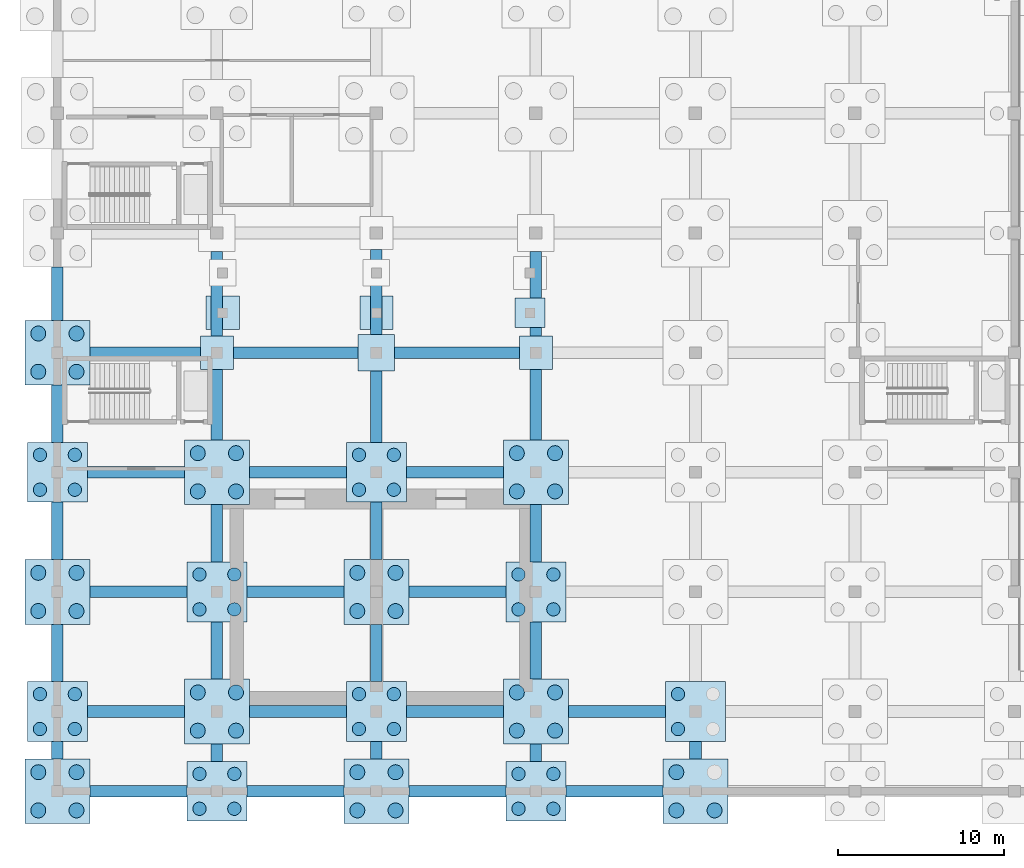
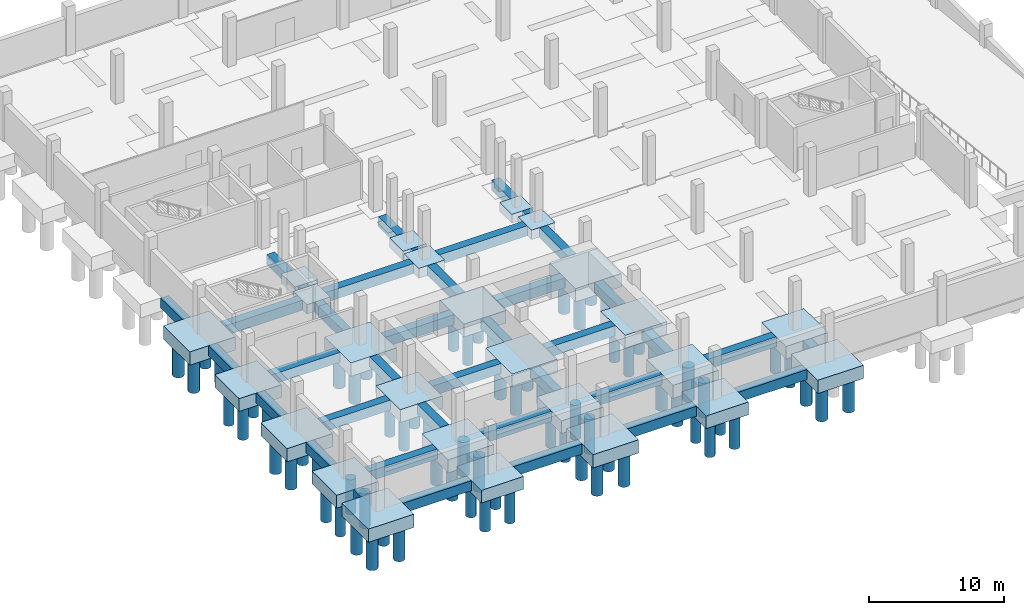
# One storey, part 1 of 13: 73 piles, 63 footings.
"""IFC4 building model written with IfcOpenShell, lengths in metres."""

from ifc_helpers import new_model, si_unit, direction, frame, origin, origin_2d, place, context, subcontext, project, spatial, rectangle, circle, extrude, material, material_profile, profile_set, type_object, element, save


model = new_model("IFC4")

# Units and contexts
model_context = context("Model", 3, precision=1e-05, world=origin(), true_north=direction((0.0, 1.0)))
body_context = subcontext(model_context, "Body", "Model", "MODEL_VIEW")
ifc_project = project(units=[si_unit("LENGTHUNIT", "METRE"), si_unit("AREAUNIT", "SQUARE_METRE"), si_unit("VOLUMEUNIT", "CUBIC_METRE"), si_unit("PLANEANGLEUNIT", "RADIAN"), si_unit("MASSUNIT", "GRAM", prefix="KILO")], contexts=[model_context])

# Site, building, storey
site_placement = place(None, origin())
site = spatial("IfcSite", under=ifc_project, at=site_placement, CompositionType="ELEMENT")
building_placement = place(site_placement, origin())
building = spatial("IfcBuilding", under=site, at=building_placement, Name="Asteropetra Specialist Clinic", CompositionType="ELEMENT")
storey_placement = place(building_placement, frame((0.0, 0.0, -4.419921875)))
storey = spatial("IfcBuildingStorey", under=building, at=storey_placement, Name="B1", CompositionType="ELEMENT", Elevation=-4.419921875)

# Footings
ifc_material_1 = material(Name="Concrete C35/45", Category="concrete")
ifc_material_profile_1 = material_profile(ifc_material_1, rectangle(XDim=0.699951171875, YDim=0.89990234375, at=origin_2d()), Name="FB 700x900")
ifc_profile_set_1 = profile_set([ifc_material_profile_1], Name="Concrete C35/45")
footing_type_1 = type_object("IfcFootingType", Name="FB-700x900", PredefinedType="FOOTING_BEAM", material=ifc_profile_set_1)
footing_1_placement = place(storey_placement, frame((1.949951171875, 0.0, -0.4501953125), z_axis=(1.0, 0.0, 0.0), x_axis=(0.0, 1.0, 0.0)))
element("IfcFooting", 1, at=footing_1_placement, inside=storey, type_object=footing_type_1, Name="Footing Tie Beam FB-0001", PredefinedType="FOOTING_BEAM", context=body_context, shape_type="SweptSolid", body=[
    extrude(rectangle(XDim=0.699951171875, YDim=0.89990234375, at=origin_2d()), origin(), (0.0, 0.0, 1.0), 5.85009765625),
])
footing_2_placement = place(storey_placement, frame((0.0, 1.949951171875, -0.4501953125), z_axis=(0.0, 1.0, 0.0), x_axis=(-1.0, 0.0, 0.0)))
element("IfcFooting", 2, at=footing_2_placement, inside=storey, type_object=footing_type_1, Name="Footing Tie Beam FB-0002", PredefinedType="FOOTING_BEAM", context=body_context, shape_type="SweptSolid", body=[
    extrude(rectangle(XDim=0.699951171875, YDim=0.89990234375, at=origin_2d()), origin(), (0.0, 0.0, 1.0), 1.050048828125),
])
footing_3_placement = place(storey_placement, frame((1.800048828125, 4.800048828125, -0.4501953125), z_axis=(1.0, 0.0, 0.0), x_axis=(0.0, 1.0, 0.0)))
element("IfcFooting", 3, at=footing_3_placement, inside=storey, type_object=footing_type_1, Name="Footing Tie Beam FB-0003", PredefinedType="FOOTING_BEAM", context=body_context, shape_type="SweptSolid", body=[
    extrude(rectangle(XDim=0.699951171875, YDim=0.89990234375, at=origin_2d()), origin(), (0.0, 0.0, 1.0), 5.849853515625),
])
footing_4_placement = place(storey_placement, frame((0.0, 6.60009765625, -0.4501953125), z_axis=(0.0, 1.0, 0.0), x_axis=(-1.0, 0.0, 0.0)))
element("IfcFooting", 4, at=footing_4_placement, inside=storey, type_object=footing_type_1, Name="Footing Tie Beam FB-0004", PredefinedType="FOOTING_BEAM", context=body_context, shape_type="SweptSolid", body=[
    extrude(rectangle(XDim=0.699951171875, YDim=0.89990234375, at=origin_2d()), origin(), (0.0, 0.0, 1.0), 3.449951171875),
])
footing_5_placement = place(storey_placement, frame((1.949951171875, 12.0, -0.4501953125), z_axis=(1.0, 0.0, 0.0), x_axis=(0.0, 1.0, 0.0)))
element("IfcFooting", 5, at=footing_5_placement, inside=storey, type_object=footing_type_1, Name="Footing Tie Beam FB-0005", PredefinedType="FOOTING_BEAM", context=body_context, shape_type="SweptSolid", body=[
    extrude(rectangle(XDim=0.699951171875, YDim=0.89990234375, at=origin_2d()), origin(), (0.0, 0.0, 1.0), 5.85009765625),
])
footing_6_placement = place(storey_placement, frame((0.0, 13.949951171875, -0.4501953125), z_axis=(0.0, 1.0, 0.0), x_axis=(-1.0, 0.0, 0.0)))
element("IfcFooting", 6, at=footing_6_placement, inside=storey, type_object=footing_type_1, Name="Footing Tie Beam FB-0006", PredefinedType="FOOTING_BEAM", context=body_context, shape_type="SweptSolid", body=[
    extrude(rectangle(XDim=0.699951171875, YDim=0.89990234375, at=origin_2d()), origin(), (0.0, 0.0, 1.0), 3.449951171875),
])
footing_7_placement = place(storey_placement, frame((1.800048828125, 19.199951171875, -0.4501953125), z_axis=(1.0, 0.0, 0.0), x_axis=(0.0, 1.0, 0.0)))
element("IfcFooting", 7, at=footing_7_placement, inside=storey, type_object=footing_type_1, Name="Footing Tie Beam FB-0007", PredefinedType="FOOTING_BEAM", context=body_context, shape_type="SweptSolid", body=[
    extrude(rectangle(XDim=0.699951171875, YDim=0.89990234375, at=origin_2d()), origin(), (0.0, 0.0, 1.0), 5.849853515625),
])
footing_8_placement = place(storey_placement, frame((0.0, 21.0, -0.4501953125), z_axis=(0.0, 1.0, 0.0), x_axis=(-1.0, 0.0, 0.0)))
element("IfcFooting", 8, at=footing_8_placement, inside=storey, type_object=footing_type_1, Name="Footing Tie Beam FB-0008", PredefinedType="FOOTING_BEAM", context=body_context, shape_type="SweptSolid", body=[
    extrude(rectangle(XDim=0.699951171875, YDim=0.89990234375, at=origin_2d()), origin(), (0.0, 0.0, 1.0), 3.449951171875),
])
footing_9_placement = place(storey_placement, frame((1.949951171875, 26.39990234375, -0.4501953125), z_axis=(1.0, 0.0, 0.0), x_axis=(0.0, 1.0, 0.0)))
element("IfcFooting", 9, at=footing_9_placement, inside=storey, type_object=footing_type_1, Name="Footing Tie Beam FB-0009", PredefinedType="FOOTING_BEAM", context=body_context, shape_type="SweptSolid", body=[
    extrude(rectangle(XDim=0.699951171875, YDim=0.89990234375, at=origin_2d()), origin(), (0.0, 0.0, 1.0), 6.650146484375),
])
footing_10_placement = place(storey_placement, frame((0.0, 28.35009765625, -0.4501953125), z_axis=(0.0, 1.0, 0.0), x_axis=(-1.0, 0.0, 0.0)))
element("IfcFooting", 10, at=footing_10_placement, inside=storey, type_object=footing_type_1, Name="Footing Tie Beam FB-0010", PredefinedType="FOOTING_BEAM", context=body_context, shape_type="SweptSolid", body=[
    extrude(rectangle(XDim=0.699951171875, YDim=0.89990234375, at=origin_2d()), origin(), (0.0, 0.0, 1.0), 3.199951171875),
])
footing_11_placement = place(storey_placement, frame((11.39990234375, 0.0, -0.4501953125), z_axis=(1.0, 0.0, 0.0), x_axis=(0.0, 1.0, 0.0)))
element("IfcFooting", 11, at=footing_11_placement, inside=storey, type_object=footing_type_1, Name="Footing Tie Beam FB-0033", PredefinedType="FOOTING_BEAM", context=body_context, shape_type="SweptSolid", body=[
    extrude(rectangle(XDim=0.699951171875, YDim=0.89990234375, at=origin_2d()), origin(), (0.0, 0.0, 1.0), 5.85009765625),
])
footing_12_placement = place(storey_placement, frame((9.60009765625, 1.800048828125, -0.4501953125), z_axis=(0.0, 1.0, 0.0), x_axis=(-1.0, 0.0, 0.0)))
element("IfcFooting", 12, at=footing_12_placement, inside=storey, type_object=footing_type_1, Name="Footing Tie Beam FB-0034", PredefinedType="FOOTING_BEAM", context=body_context, shape_type="SweptSolid", body=[
    extrude(rectangle(XDim=0.699951171875, YDim=0.89990234375, at=origin_2d()), origin(), (0.0, 0.0, 1.0), 1.050048828125),
])
footing_13_placement = place(storey_placement, frame((11.550048828125, 4.800048828125, -0.4501953125), z_axis=(1.0, 0.0, 0.0), x_axis=(0.0, 1.0, 0.0)))
element("IfcFooting", 13, at=footing_13_placement, inside=storey, type_object=footing_type_1, Name="Footing Tie Beam FB-0035", PredefinedType="FOOTING_BEAM", context=body_context, shape_type="SweptSolid", body=[
    extrude(rectangle(XDim=0.699951171875, YDim=0.89990234375, at=origin_2d()), origin(), (0.0, 0.0, 1.0), 5.849853515625),
])
footing_14_placement = place(storey_placement, frame((9.60009765625, 6.75, -0.4501953125), z_axis=(0.0, 1.0, 0.0), x_axis=(-1.0, 0.0, 0.0)))
element("IfcFooting", 14, at=footing_14_placement, inside=storey, type_object=footing_type_1, Name="Footing Tie Beam FB-0036", PredefinedType="FOOTING_BEAM", context=body_context, shape_type="SweptSolid", body=[
    extrude(rectangle(XDim=0.699951171875, YDim=0.89990234375, at=origin_2d()), origin(), (0.0, 0.0, 1.0), 3.449951171875),
])
footing_15_placement = place(storey_placement, frame((11.39990234375, 12.0, -0.4501953125), z_axis=(1.0, 0.0, 0.0), x_axis=(0.0, 1.0, 0.0)))
element("IfcFooting", 15, at=footing_15_placement, inside=storey, type_object=footing_type_1, Name="Footing Tie Beam FB-0037", PredefinedType="FOOTING_BEAM", context=body_context, shape_type="SweptSolid", body=[
    extrude(rectangle(XDim=0.699951171875, YDim=0.89990234375, at=origin_2d()), origin(), (0.0, 0.0, 1.0), 5.85009765625),
])
footing_16_placement = place(storey_placement, frame((9.60009765625, 13.800048828125, -0.4501953125), z_axis=(0.0, 1.0, 0.0), x_axis=(-1.0, 0.0, 0.0)))
element("IfcFooting", 16, at=footing_16_placement, inside=storey, type_object=footing_type_1, Name="Footing Tie Beam FB-0038", PredefinedType="FOOTING_BEAM", context=body_context, shape_type="SweptSolid", body=[
    extrude(rectangle(XDim=0.699951171875, YDim=0.89990234375, at=origin_2d()), origin(), (0.0, 0.0, 1.0), 3.449951171875),
])
footing_17_placement = place(storey_placement, frame((11.550048828125, 19.199951171875, -0.4501953125), z_axis=(1.0, 0.0, 0.0), x_axis=(0.0, 1.0, 0.0)))
element("IfcFooting", 17, at=footing_17_placement, inside=storey, type_object=footing_type_1, Name="Footing Tie Beam FB-0039", PredefinedType="FOOTING_BEAM", context=body_context, shape_type="SweptSolid", body=[
    extrude(rectangle(XDim=0.699951171875, YDim=0.89990234375, at=origin_2d()), origin(), (0.0, 0.0, 1.0), 5.849853515625),
])
footing_18_placement = place(storey_placement, frame((9.60009765625, 21.14990234375, -0.4501953125), z_axis=(0.0, 1.0, 0.0), x_axis=(-1.0, 0.0, 0.0)))
element("IfcFooting", 18, at=footing_18_placement, inside=storey, type_object=footing_type_1, Name="Footing Tie Beam FB-0040", PredefinedType="FOOTING_BEAM", context=body_context, shape_type="SweptSolid", body=[
    extrude(rectangle(XDim=0.699951171875, YDim=0.89990234375, at=origin_2d()), origin(), (0.0, 0.0, 1.0), 4.25),
])
footing_19_placement = place(storey_placement, frame((10.60009765625, 26.39990234375, -0.4501953125), z_axis=(1.0, 0.0, 0.0), x_axis=(0.0, 1.0, 0.0)))
element("IfcFooting", 19, at=footing_19_placement, inside=storey, type_object=footing_type_1, Name="Footing Tie Beam FB-0041", PredefinedType="FOOTING_BEAM", context=body_context, shape_type="SweptSolid", body=[
    extrude(rectangle(XDim=0.699951171875, YDim=0.89990234375, at=origin_2d()), origin(), (0.0, 0.0, 1.0), 7.5),
])
footing_20_placement = place(storey_placement, frame((9.60009765625, 27.39990234375, -0.4501953125), z_axis=(0.0, 1.0, 0.0), x_axis=(-1.0, 0.0, 0.0)))
element("IfcFooting", 20, at=footing_20_placement, inside=storey, type_object=footing_type_1, Name="Footing Tie Beam FB-0042", PredefinedType="FOOTING_BEAM", context=body_context, shape_type="SweptSolid", body=[
    extrude(rectangle(XDim=0.699951171875, YDim=0.89990234375, at=origin_2d()), origin(), (0.0, 0.0, 1.0), 5.10009765625),
])
footing_21_placement = place(storey_placement, frame((21.14990234375, 0.0, -0.4501953125), z_axis=(1.0, 0.0, 0.0), x_axis=(0.0, 1.0, 0.0)))
element("IfcFooting", 21, at=footing_21_placement, inside=storey, type_object=footing_type_1, Name="Footing Tie Beam FB-0063", PredefinedType="FOOTING_BEAM", context=body_context, shape_type="SweptSolid", body=[
    extrude(rectangle(XDim=0.699951171875, YDim=0.89990234375, at=origin_2d()), origin(), (0.0, 0.0, 1.0), 5.85009765625),
])
footing_22_placement = place(storey_placement, frame((19.199951171875, 1.949951171875, -0.4501953125), z_axis=(0.0, 1.0, 0.0), x_axis=(-1.0, 0.0, 0.0)))
element("IfcFooting", 22, at=footing_22_placement, inside=storey, type_object=footing_type_1, Name="Footing Tie Beam FB-0064", PredefinedType="FOOTING_BEAM", context=body_context, shape_type="SweptSolid", body=[
    extrude(rectangle(XDim=0.699951171875, YDim=0.89990234375, at=origin_2d()), origin(), (0.0, 0.0, 1.0), 1.050048828125),
])
footing_23_placement = place(storey_placement, frame((21.0, 4.800048828125, -0.4501953125), z_axis=(1.0, 0.0, 0.0), x_axis=(0.0, 1.0, 0.0)))
element("IfcFooting", 23, at=footing_23_placement, inside=storey, type_object=footing_type_1, Name="Footing Tie Beam FB-0065", PredefinedType="FOOTING_BEAM", context=body_context, shape_type="SweptSolid", body=[
    extrude(rectangle(XDim=0.699951171875, YDim=0.89990234375, at=origin_2d()), origin(), (0.0, 0.0, 1.0), 5.85009765625),
])
footing_24_placement = place(storey_placement, frame((19.199951171875, 6.60009765625, -0.4501953125), z_axis=(0.0, 1.0, 0.0), x_axis=(-1.0, 0.0, 0.0)))
element("IfcFooting", 24, at=footing_24_placement, inside=storey, type_object=footing_type_1, Name="Footing Tie Beam FB-0066", PredefinedType="FOOTING_BEAM", context=body_context, shape_type="SweptSolid", body=[
    extrude(rectangle(XDim=0.699951171875, YDim=0.89990234375, at=origin_2d()), origin(), (0.0, 0.0, 1.0), 3.449951171875),
])
footing_25_placement = place(storey_placement, frame((21.14990234375, 12.0, -0.4501953125), z_axis=(1.0, 0.0, 0.0), x_axis=(0.0, 1.0, 0.0)))
element("IfcFooting", 25, at=footing_25_placement, inside=storey, type_object=footing_type_1, Name="Footing Tie Beam FB-0067", PredefinedType="FOOTING_BEAM", context=body_context, shape_type="SweptSolid", body=[
    extrude(rectangle(XDim=0.699951171875, YDim=0.89990234375, at=origin_2d()), origin(), (0.0, 0.0, 1.0), 5.85009765625),
])
footing_26_placement = place(storey_placement, frame((19.199951171875, 13.949951171875, -0.4501953125), z_axis=(0.0, 1.0, 0.0), x_axis=(-1.0, 0.0, 0.0)))
element("IfcFooting", 26, at=footing_26_placement, inside=storey, type_object=footing_type_1, Name="Footing Tie Beam FB-0068", PredefinedType="FOOTING_BEAM", context=body_context, shape_type="SweptSolid", body=[
    extrude(rectangle(XDim=0.699951171875, YDim=0.89990234375, at=origin_2d()), origin(), (0.0, 0.0, 1.0), 3.449951171875),
])
footing_27_placement = place(storey_placement, frame((21.0, 19.199951171875, -0.4501953125), z_axis=(1.0, 0.0, 0.0), x_axis=(0.0, 1.0, 0.0)))
element("IfcFooting", 27, at=footing_27_placement, inside=storey, type_object=footing_type_1, Name="Footing Tie Beam FB-0069", PredefinedType="FOOTING_BEAM", context=body_context, shape_type="SweptSolid", body=[
    extrude(rectangle(XDim=0.699951171875, YDim=0.89990234375, at=origin_2d()), origin(), (0.0, 0.0, 1.0), 5.85009765625),
])
footing_28_placement = place(storey_placement, frame((19.199951171875, 21.0, -0.4501953125), z_axis=(0.0, 1.0, 0.0), x_axis=(-1.0, 0.0, 0.0)))
element("IfcFooting", 28, at=footing_28_placement, inside=storey, type_object=footing_type_1, Name="Footing Tie Beam FB-0070", PredefinedType="FOOTING_BEAM", context=body_context, shape_type="SweptSolid", body=[
    extrude(rectangle(XDim=0.699951171875, YDim=0.89990234375, at=origin_2d()), origin(), (0.0, 0.0, 1.0), 4.300048828125),
])
footing_29_placement = place(storey_placement, frame((20.300048828125, 26.39990234375, -0.4501953125), z_axis=(1.0, 0.0, 0.0), x_axis=(0.0, 1.0, 0.0)))
element("IfcFooting", 29, at=footing_29_placement, inside=storey, type_object=footing_type_1, Name="Footing Tie Beam FB-0071", PredefinedType="FOOTING_BEAM", context=body_context, shape_type="SweptSolid", body=[
    extrude(rectangle(XDim=0.699951171875, YDim=0.89990234375, at=origin_2d()), origin(), (0.0, 0.0, 1.0), 7.5),
])
footing_30_placement = place(storey_placement, frame((19.199951171875, 27.5, -0.4501953125), z_axis=(0.0, 1.0, 0.0), x_axis=(-1.0, 0.0, 0.0)))
element("IfcFooting", 30, at=footing_30_placement, inside=storey, type_object=footing_type_1, Name="Footing Tie Beam FB-0072", PredefinedType="FOOTING_BEAM", context=body_context, shape_type="SweptSolid", body=[
    extrude(rectangle(XDim=0.699951171875, YDim=0.89990234375, at=origin_2d()), origin(), (0.0, 0.0, 1.0), 5.10009765625),
])
footing_31_placement = place(storey_placement, frame((30.60009765625, 0.0, -0.4501953125), z_axis=(1.0, 0.0, 0.0), x_axis=(0.0, 1.0, 0.0)))
element("IfcFooting", 31, at=footing_31_placement, inside=storey, type_object=footing_type_1, Name="Footing Tie Beam FB-0090", PredefinedType="FOOTING_BEAM", context=body_context, shape_type="SweptSolid", body=[
    extrude(rectangle(XDim=0.699951171875, YDim=0.89990234375, at=origin_2d()), origin(), (0.0, 0.0, 1.0), 5.849853515625),
])
footing_32_placement = place(storey_placement, frame((28.800048828125, 1.800048828125, -0.4501953125), z_axis=(0.0, 1.0, 0.0), x_axis=(-1.0, 0.0, 0.0)))
element("IfcFooting", 32, at=footing_32_placement, inside=storey, type_object=footing_type_1, Name="Footing Tie Beam FB-0091", PredefinedType="FOOTING_BEAM", context=body_context, shape_type="SweptSolid", body=[
    extrude(rectangle(XDim=0.699951171875, YDim=0.89990234375, at=origin_2d()), origin(), (0.0, 0.0, 1.0), 1.050048828125),
])
footing_33_placement = place(storey_placement, frame((30.75, 4.800048828125, -0.4501953125), z_axis=(1.0, 0.0, 0.0), x_axis=(0.0, 1.0, 0.0)))
element("IfcFooting", 33, at=footing_33_placement, inside=storey, type_object=footing_type_1, Name="Footing Tie Beam FB-0092", PredefinedType="FOOTING_BEAM", context=body_context, shape_type="SweptSolid", body=[
    extrude(rectangle(XDim=0.699951171875, YDim=0.89990234375, at=origin_2d()), origin(), (0.0, 0.0, 1.0), 5.85009765625),
])
for number, where, z_axis, x_axis, name in (
    (34, (28.800048828125, 6.75, -0.4501953125), (0.0, 1.0, 0.0), (-1.0, 0.0, 0.0), "Footing Tie Beam FB-0093"),
    (35, (28.800048828125, 13.800048828125, -0.4501953125), (0.0, 1.0, 0.0), (-1.0, 0.0, 0.0), "Footing Tie Beam FB-0095"),
):
    element("IfcFooting", number, at=place(storey_placement, frame(where, z_axis=z_axis, x_axis=x_axis)), inside=storey, type_object=footing_type_1, Name=name, PredefinedType="FOOTING_BEAM", context=body_context, shape_type="SweptSolid", body=[
        extrude(rectangle(XDim=0.699951171875, YDim=0.89990234375, at=origin_2d()), origin(), (0.0, 0.0, 1.0), 3.449951171875),
    ])
footing_34_placement = place(storey_placement, frame((28.800048828125, 21.14990234375, -0.4501953125), z_axis=(0.0, 1.0, 0.0), x_axis=(-1.0, 0.0, 0.0)))
element("IfcFooting", 36, at=footing_34_placement, inside=storey, type_object=footing_type_1, Name="Footing Tie Beam FB-0097", PredefinedType="FOOTING_BEAM", context=body_context, shape_type="SweptSolid", body=[
    extrude(rectangle(XDim=0.699951171875, YDim=0.89990234375, at=origin_2d()), origin(), (0.0, 0.0, 1.0), 4.25),
])
footing_35_placement = place(storey_placement, frame((28.800048828125, 27.39990234375, -0.4501953125), z_axis=(0.0, 1.0, 0.0), x_axis=(-1.0, 0.0, 0.0)))
element("IfcFooting", 37, at=footing_35_placement, inside=storey, type_object=footing_type_1, Name="Footing Tie Beam FB-0099", PredefinedType="FOOTING_BEAM", context=body_context, shape_type="SweptSolid", body=[
    extrude(rectangle(XDim=0.699951171875, YDim=0.89990234375, at=origin_2d()), origin(), (0.0, 0.0, 1.0), 5.10009765625),
])
footing_36_placement = place(storey_placement, frame((38.39990234375, 1.949951171875, -0.4501953125), z_axis=(0.0, 1.0, 0.0), x_axis=(-1.0, 0.0, 0.0)))
element("IfcFooting", 38, at=footing_36_placement, inside=storey, type_object=footing_type_1, Name="Footing Tie Beam FB-0123", PredefinedType="FOOTING_BEAM", context=body_context, shape_type="SweptSolid", body=[
    extrude(rectangle(XDim=0.699951171875, YDim=0.89990234375, at=origin_2d()), origin(), (0.0, 0.0, 1.0), 1.050048828125),
])
ifc_material_2 = material(Name="Concrete C35/45", Category="concrete")
footing_type_2 = type_object("IfcFootingType", Name="PC-2800", PredefinedType="PILE_CAP", material=ifc_material_2)
for number, where, z_axis, x_axis, name in (
    (39, (0.0, 4.800048828125, -1.150146484375), (0.0, 0.0, 1.0), (1.0, 0.0, 0.0), "Pile Cap PC-02-002"),
    (40, (0.0, 19.199951171875, -1.150146484375), (0.0, 0.0, 1.0), (1.0, 0.0, 0.0), "Pile Cap PC-02-004"),
    (41, (9.60009765625, 0.0, -1.150146484375), (0.0, 0.0, 1.0), (1.0, 0.0, 0.0), "Pile Cap PC-02-018"),
    (42, (9.60009765625, 12.0, -1.150146484375), (0.0, 0.0, 1.0), (1.0, 0.0, 0.0), "Pile Cap PC-02-020"),
    (43, (19.199951171875, 4.800048828125, -1.150146484375), (0.0, 0.0, 1.0), (1.0, 0.0, 0.0), "Pile Cap PC-02-040"),
    (44, (19.199951171875, 19.199951171875, -1.150146484375), (0.0, 0.0, 1.0), (1.0, 0.0, 0.0), "Pile Cap PC-02-042"),
    (45, (28.800048828125, 0.0, -1.150146484375), (0.0, 0.0, 1.0), (1.0, 0.0, 0.0), "Pile Cap PC-02-062"),
    (46, (28.800048828125, 12.0, -1.150146484375), (0.0, 0.0, 1.0), (1.0, 0.0, 0.0), "Pile Cap PC-02-064"),
    (47, (38.39990234375, 4.800048828125, -1.150146484375), (0.0, 0.0, 1.0), (1.0, 0.0, 0.0), "Pile Cap PC-02-080"),
):
    element("IfcFooting", number, at=place(storey_placement, frame(where, z_axis=z_axis, x_axis=x_axis)), inside=storey, type_object=footing_type_2, Name=name, PredefinedType="PILE_CAP", context=body_context, shape_type="SweptSolid", body=[
        extrude(rectangle(XDim=3.60009765625, YDim=3.60009765625, at=origin_2d()), origin(), (0.0, 0.0, 1.0), 1.14990234375),
    ])
ifc_material_3 = material(Name="Concrete C35/45", Category="concrete")
footing_type_3 = type_object("IfcFootingType", Name="PC-3000", PredefinedType="PILE_CAP", material=ifc_material_3)
for number, where, z_axis, x_axis, name in (
    (48, (0.0, 0.0, -1.2001953125), (0.0, 0.0, 1.0), (1.0, 0.0, 0.0), "Pile Cap PC-03-001"),
    (49, (0.0, 12.0, -1.2001953125), (0.0, 0.0, 1.0), (1.0, 0.0, 0.0), "Pile Cap PC-03-003"),
    (50, (0.0, 26.39990234375, -1.2001953125), (0.0, 0.0, 1.0), (1.0, 0.0, 0.0), "Pile Cap PC-03-005"),
    (51, (9.60009765625, 4.800048828125, -1.2001953125), (0.0, 0.0, 1.0), (1.0, 0.0, 0.0), "Pile Cap PC-03-019"),
    (52, (9.60009765625, 19.199951171875, -1.2001953125), (0.0, 0.0, 1.0), (1.0, 0.0, 0.0), "Pile Cap PC-03-021"),
    (53, (19.199951171875, 0.0, -1.2001953125), (0.0, 0.0, 1.0), (1.0, 0.0, 0.0), "Pile Cap PC-03-039"),
    (54, (19.199951171875, 12.0, -1.2001953125), (0.0, 0.0, 1.0), (1.0, 0.0, 0.0), "Pile Cap PC-03-041"),
    (55, (28.800048828125, 4.800048828125, -1.2001953125), (0.0, 0.0, 1.0), (1.0, 0.0, 0.0), "Pile Cap PC-03-063"),
    (56, (28.800048828125, 19.199951171875, -1.2001953125), (0.0, 0.0, 1.0), (1.0, 0.0, 0.0), "Pile Cap PC-03-065"),
    (57, (38.39990234375, 0.0, -1.2001953125), (0.0, 0.0, 1.0), (1.0, 0.0, 0.0), "Pile Cap PC-03-079"),
):
    element("IfcFooting", number, at=place(storey_placement, frame(where, z_axis=z_axis, x_axis=x_axis)), inside=storey, type_object=footing_type_3, Name=name, PredefinedType="PILE_CAP", context=body_context, shape_type="SweptSolid", body=[
        extrude(rectangle(XDim=3.89990234375, YDim=3.89990234375, at=origin_2d()), origin(), (0.0, 0.0, 1.0), 1.199951171875),
    ])
ifc_material_4 = material(Name="Concrete C35/45", Category="concrete")
footing_type_4 = type_object("IfcFootingType", Name="PF-1800", PredefinedType="PAD_FOOTING", material=ifc_material_4)
footing_37_placement = place(storey_placement, frame((28.449951171875, 28.800048828125, -0.80029296875), z_axis=(0.0, 0.0, 1.0), x_axis=(1.0, 0.0, 0.0)))
element("IfcFooting", 58, at=footing_37_placement, inside=storey, type_object=footing_type_4, Name="Pad Footing PF-02-058", PredefinedType="PAD_FOOTING", context=body_context, shape_type="SweptSolid", body=[
    extrude(rectangle(XDim=1.800048828125, YDim=1.800048828125, at=origin_2d()), origin(), (0.0, 0.0, 1.0), 0.800048828125),
])
ifc_material_5 = material(Name="Concrete C35/45", Category="concrete")
footing_type_5 = type_object("IfcFootingType", Name="PF-2000", PredefinedType="PAD_FOOTING", material=ifc_material_5)
for number, where, z_axis, x_axis, name in (
    (59, (9.60009765625, 26.39990234375, -0.85009765625), (0.0, 0.0, 1.0), (1.0, 0.0, 0.0), "Pad Footing PF-03-022"),
    (60, (9.949951171875, 28.800048828125, -0.85009765625), (0.0, 0.0, 1.0), (1.0, 0.0, 0.0), "Pad Footing PF-03-035"),
    (61, (19.199951171875, 28.800048828125, -0.85009765625), (0.0, 0.0, 1.0), (1.0, 0.0, 0.0), "Pad Footing PF-03-044"),
    (62, (28.800048828125, 26.39990234375, -0.85009765625), (0.0, 0.0, 1.0), (1.0, 0.0, 0.0), "Pad Footing PF-03-066"),
):
    element("IfcFooting", number, at=place(storey_placement, frame(where, z_axis=z_axis, x_axis=x_axis)), inside=storey, type_object=footing_type_5, Name=name, PredefinedType="PAD_FOOTING", context=body_context, shape_type="SweptSolid", body=[
        extrude(rectangle(XDim=2.0, YDim=2.0, at=origin_2d()), origin(), (0.0, 0.0, 1.0), 0.85009765625),
    ])
ifc_material_6 = material(Name="Concrete C35/45", Category="concrete")
footing_type_6 = type_object("IfcFootingType", Name="PF-2200", PredefinedType="PAD_FOOTING", material=ifc_material_6)
footing_38_placement = place(storey_placement, frame((19.199951171875, 26.39990234375, -0.900146484375), z_axis=(0.0, 0.0, 1.0), x_axis=(1.0, 0.0, 0.0)))
element("IfcFooting", 63, at=footing_38_placement, inside=storey, type_object=footing_type_6, Name="Pad Footing PF-04-043", PredefinedType="PAD_FOOTING", context=body_context, shape_type="SweptSolid", body=[
    extrude(rectangle(XDim=2.199951171875, YDim=2.199951171875, at=origin_2d()), origin(), (0.0, 0.0, 1.0), 0.89990234375),
])

# Piles
ifc_material_7 = material(Name="Concrete C35/45", Category="concrete")
ifc_material_profile_2 = material_profile(ifc_material_7, circle(Radius=0.39990234375, at=origin_2d()), Name="PILE D800")
ifc_profile_set_2 = profile_set([ifc_material_profile_2], Name="Concrete C35/45")
pile_type_1 = type_object("IfcPileType", Name="PILE-B800", PredefinedType="BORED", material=ifc_profile_set_2)
for number, where, z_axis, x_axis, name in (
    (64, (-1.050048828125, 3.75, -1.050048828125), (0.0, 0.0, -1.0), (1.0, 0.0, 0.0), "Bored Pile PPL01-002-1"),
    (65, (1.050048828125, 3.75, -1.050048828125), (0.0, 0.0, -1.0), (1.0, 0.0, 0.0), "Bored Pile PPL01-002-2"),
    (66, (-1.050048828125, 5.85009765625, -1.050048828125), (0.0, 0.0, -1.0), (1.0, 0.0, 0.0), "Bored Pile PPL01-002-3"),
    (67, (1.050048828125, 5.85009765625, -1.050048828125), (0.0, 0.0, -1.0), (1.0, 0.0, 0.0), "Bored Pile PPL01-002-4"),
    (68, (-1.050048828125, 18.14990234375, -1.050048828125), (0.0, 0.0, -1.0), (1.0, 0.0, 0.0), "Bored Pile PPL01-004-1"),
    (69, (1.050048828125, 18.14990234375, -1.050048828125), (0.0, 0.0, -1.0), (1.0, 0.0, 0.0), "Bored Pile PPL01-004-2"),
    (70, (-1.050048828125, 20.25, -1.050048828125), (0.0, 0.0, -1.0), (1.0, 0.0, 0.0), "Bored Pile PPL01-004-3"),
    (71, (1.050048828125, 20.25, -1.050048828125), (0.0, 0.0, -1.0), (1.0, 0.0, 0.0), "Bored Pile PPL01-004-4"),
    (72, (8.550048828125, -1.050048828125, -1.050048828125), (0.0, 0.0, -1.0), (1.0, 0.0, 0.0), "Bored Pile PPL01-018-1"),
    (73, (10.64990234375, -1.050048828125, -1.050048828125), (0.0, 0.0, -1.0), (1.0, 0.0, 0.0), "Bored Pile PPL01-018-2"),
    (74, (8.550048828125, 1.050048828125, -1.050048828125), (0.0, 0.0, -1.0), (1.0, 0.0, 0.0), "Bored Pile PPL01-018-3"),
    (75, (10.64990234375, 1.050048828125, -1.050048828125), (0.0, 0.0, -1.0), (1.0, 0.0, 0.0), "Bored Pile PPL01-018-4"),
    (76, (8.550048828125, 10.949951171875, -1.050048828125), (0.0, 0.0, -1.0), (1.0, 0.0, 0.0), "Bored Pile PPL01-020-1"),
    (77, (10.64990234375, 10.949951171875, -1.050048828125), (0.0, 0.0, -1.0), (1.0, 0.0, 0.0), "Bored Pile PPL01-020-2"),
    (78, (8.550048828125, 13.050048828125, -1.050048828125), (0.0, 0.0, -1.0), (1.0, 0.0, 0.0), "Bored Pile PPL01-020-3"),
    (79, (10.64990234375, 13.050048828125, -1.050048828125), (0.0, 0.0, -1.0), (1.0, 0.0, 0.0), "Bored Pile PPL01-020-4"),
    (80, (18.14990234375, 3.75, -1.050048828125), (0.0, 0.0, -1.0), (1.0, 0.0, 0.0), "Bored Pile PPL01-040-1"),
    (81, (20.25, 3.75, -1.050048828125), (0.0, 0.0, -1.0), (1.0, 0.0, 0.0), "Bored Pile PPL01-040-2"),
    (82, (18.14990234375, 5.85009765625, -1.050048828125), (0.0, 0.0, -1.0), (1.0, 0.0, 0.0), "Bored Pile PPL01-040-3"),
    (83, (20.25, 5.85009765625, -1.050048828125), (0.0, 0.0, -1.0), (1.0, 0.0, 0.0), "Bored Pile PPL01-040-4"),
    (84, (18.14990234375, 18.14990234375, -1.050048828125), (0.0, 0.0, -1.0), (1.0, 0.0, 0.0), "Bored Pile PPL01-042-1"),
    (85, (20.25, 18.14990234375, -1.050048828125), (0.0, 0.0, -1.0), (1.0, 0.0, 0.0), "Bored Pile PPL01-042-2"),
    (86, (18.14990234375, 20.25, -1.050048828125), (0.0, 0.0, -1.0), (1.0, 0.0, 0.0), "Bored Pile PPL01-042-3"),
    (87, (20.25, 20.25, -1.050048828125), (0.0, 0.0, -1.0), (1.0, 0.0, 0.0), "Bored Pile PPL01-042-4"),
    (88, (27.75, -1.050048828125, -1.050048828125), (0.0, 0.0, -1.0), (1.0, 0.0, 0.0), "Bored Pile PPL01-062-1"),
    (89, (29.85009765625, -1.050048828125, -1.050048828125), (0.0, 0.0, -1.0), (1.0, 0.0, 0.0), "Bored Pile PPL01-062-2"),
    (90, (27.75, 1.050048828125, -1.050048828125), (0.0, 0.0, -1.0), (1.0, 0.0, 0.0), "Bored Pile PPL01-062-3"),
    (91, (29.85009765625, 1.050048828125, -1.050048828125), (0.0, 0.0, -1.0), (1.0, 0.0, 0.0), "Bored Pile PPL01-062-4"),
    (92, (27.75, 10.949951171875, -1.050048828125), (0.0, 0.0, -1.0), (1.0, 0.0, 0.0), "Bored Pile PPL01-064-1"),
    (93, (29.85009765625, 10.949951171875, -1.050048828125), (0.0, 0.0, -1.0), (1.0, 0.0, 0.0), "Bored Pile PPL01-064-2"),
    (94, (27.75, 13.050048828125, -1.050048828125), (0.0, 0.0, -1.0), (1.0, 0.0, 0.0), "Bored Pile PPL01-064-3"),
    (95, (29.85009765625, 13.050048828125, -1.050048828125), (0.0, 0.0, -1.0), (1.0, 0.0, 0.0), "Bored Pile PPL01-064-4"),
    (96, (37.35009765625, 3.75, -1.050048828125), (0.0, 0.0, -1.0), (1.0, 0.0, 0.0), "Bored Pile PPL01-080-1"),
    (97, (37.35009765625, 5.85009765625, -1.050048828125), (0.0, 0.0, -1.0), (1.0, 0.0, 0.0), "Bored Pile PPL01-080-3"),
):
    element("IfcPile", number, at=place(storey_placement, frame(where, z_axis=z_axis, x_axis=x_axis)), inside=storey, type_object=pile_type_1, Name=name, PredefinedType="BORED", context=body_context, shape_type="SweptSolid", body=[
        extrude(circle(Radius=0.39990234375, at=origin_2d()), origin(), (0.0, 0.0, 1.0), 3.14990234375),
    ])
ifc_material_8 = material(Name="Concrete C35/45", Category="concrete")
ifc_material_profile_3 = material_profile(ifc_material_8, circle(Radius=0.449951171875, at=origin_2d()), Name="PILE D900")
ifc_profile_set_3 = profile_set([ifc_material_profile_3], Name="Concrete C35/45")
pile_type_2 = type_object("IfcPileType", Name="PILE-B900", PredefinedType="BORED", material=ifc_profile_set_3)
for number, where, z_axis, x_axis, name in (
    (98, (-1.14990234375, -1.14990234375, -1.10009765625), (0.0, 0.0, -1.0), (1.0, 0.0, 0.0), "Bored Pile PPL02-001-1"),
    (99, (1.14990234375, -1.14990234375, -1.10009765625), (0.0, 0.0, -1.0), (1.0, 0.0, 0.0), "Bored Pile PPL02-001-2"),
    (100, (-1.14990234375, 1.14990234375, -1.10009765625), (0.0, 0.0, -1.0), (1.0, 0.0, 0.0), "Bored Pile PPL02-001-3"),
    (101, (1.14990234375, 1.14990234375, -1.10009765625), (0.0, 0.0, -1.0), (1.0, 0.0, 0.0), "Bored Pile PPL02-001-4"),
    (102, (-1.14990234375, 10.85009765625, -1.10009765625), (0.0, 0.0, -1.0), (1.0, 0.0, 0.0), "Bored Pile PPL02-003-1"),
    (103, (1.14990234375, 10.85009765625, -1.10009765625), (0.0, 0.0, -1.0), (1.0, 0.0, 0.0), "Bored Pile PPL02-003-2"),
    (104, (-1.14990234375, 13.14990234375, -1.10009765625), (0.0, 0.0, -1.0), (1.0, 0.0, 0.0), "Bored Pile PPL02-003-3"),
    (105, (1.14990234375, 13.14990234375, -1.10009765625), (0.0, 0.0, -1.0), (1.0, 0.0, 0.0), "Bored Pile PPL02-003-4"),
    (106, (-1.14990234375, 25.25, -1.10009765625), (0.0, 0.0, -1.0), (1.0, 0.0, 0.0), "Bored Pile PPL02-005-1"),
    (107, (1.14990234375, 25.25, -1.10009765625), (0.0, 0.0, -1.0), (1.0, 0.0, 0.0), "Bored Pile PPL02-005-2"),
    (108, (-1.14990234375, 27.550048828125, -1.10009765625), (0.0, 0.0, -1.0), (1.0, 0.0, 0.0), "Bored Pile PPL02-005-3"),
    (109, (1.14990234375, 27.550048828125, -1.10009765625), (0.0, 0.0, -1.0), (1.0, 0.0, 0.0), "Bored Pile PPL02-005-4"),
    (110, (8.449951171875, 3.64990234375, -1.10009765625), (0.0, 0.0, -1.0), (1.0, 0.0, 0.0), "Bored Pile PPL02-019-1"),
    (111, (10.75, 3.64990234375, -1.10009765625), (0.0, 0.0, -1.0), (1.0, 0.0, 0.0), "Bored Pile PPL02-019-2"),
    (112, (8.449951171875, 5.949951171875, -1.10009765625), (0.0, 0.0, -1.0), (1.0, 0.0, 0.0), "Bored Pile PPL02-019-3"),
    (113, (10.75, 5.949951171875, -1.10009765625), (0.0, 0.0, -1.0), (1.0, 0.0, 0.0), "Bored Pile PPL02-019-4"),
    (114, (8.449951171875, 18.050048828125, -1.10009765625), (0.0, 0.0, -1.0), (1.0, 0.0, 0.0), "Bored Pile PPL02-021-1"),
    (115, (10.75, 18.050048828125, -1.10009765625), (0.0, 0.0, -1.0), (1.0, 0.0, 0.0), "Bored Pile PPL02-021-2"),
    (116, (8.449951171875, 20.35009765625, -1.10009765625), (0.0, 0.0, -1.0), (1.0, 0.0, 0.0), "Bored Pile PPL02-021-3"),
    (117, (10.75, 20.35009765625, -1.10009765625), (0.0, 0.0, -1.0), (1.0, 0.0, 0.0), "Bored Pile PPL02-021-4"),
    (118, (18.050048828125, -1.14990234375, -1.10009765625), (0.0, 0.0, -1.0), (1.0, 0.0, 0.0), "Bored Pile PPL02-039-1"),
    (119, (20.35009765625, -1.14990234375, -1.10009765625), (0.0, 0.0, -1.0), (1.0, 0.0, 0.0), "Bored Pile PPL02-039-2"),
    (120, (18.050048828125, 1.14990234375, -1.10009765625), (0.0, 0.0, -1.0), (1.0, 0.0, 0.0), "Bored Pile PPL02-039-3"),
    (121, (20.35009765625, 1.14990234375, -1.10009765625), (0.0, 0.0, -1.0), (1.0, 0.0, 0.0), "Bored Pile PPL02-039-4"),
    (122, (18.050048828125, 10.85009765625, -1.10009765625), (0.0, 0.0, -1.0), (1.0, 0.0, 0.0), "Bored Pile PPL02-041-1"),
    (123, (20.35009765625, 10.85009765625, -1.10009765625), (0.0, 0.0, -1.0), (1.0, 0.0, 0.0), "Bored Pile PPL02-041-2"),
    (124, (18.050048828125, 13.14990234375, -1.10009765625), (0.0, 0.0, -1.0), (1.0, 0.0, 0.0), "Bored Pile PPL02-041-3"),
    (125, (20.35009765625, 13.14990234375, -1.10009765625), (0.0, 0.0, -1.0), (1.0, 0.0, 0.0), "Bored Pile PPL02-041-4"),
    (126, (27.64990234375, 3.64990234375, -1.10009765625), (0.0, 0.0, -1.0), (1.0, 0.0, 0.0), "Bored Pile PPL02-063-1"),
    (127, (29.949951171875, 3.64990234375, -1.10009765625), (0.0, 0.0, -1.0), (1.0, 0.0, 0.0), "Bored Pile PPL02-063-2"),
    (128, (27.64990234375, 5.949951171875, -1.10009765625), (0.0, 0.0, -1.0), (1.0, 0.0, 0.0), "Bored Pile PPL02-063-3"),
    (129, (29.949951171875, 5.949951171875, -1.10009765625), (0.0, 0.0, -1.0), (1.0, 0.0, 0.0), "Bored Pile PPL02-063-4"),
    (130, (27.64990234375, 18.050048828125, -1.10009765625), (0.0, 0.0, -1.0), (1.0, 0.0, 0.0), "Bored Pile PPL02-065-1"),
    (131, (29.949951171875, 18.050048828125, -1.10009765625), (0.0, 0.0, -1.0), (1.0, 0.0, 0.0), "Bored Pile PPL02-065-2"),
    (132, (27.64990234375, 20.35009765625, -1.10009765625), (0.0, 0.0, -1.0), (1.0, 0.0, 0.0), "Bored Pile PPL02-065-3"),
    (133, (29.949951171875, 20.35009765625, -1.10009765625), (0.0, 0.0, -1.0), (1.0, 0.0, 0.0), "Bored Pile PPL02-065-4"),
    (134, (37.25, -1.14990234375, -1.10009765625), (0.0, 0.0, -1.0), (1.0, 0.0, 0.0), "Bored Pile PPL02-079-1"),
    (135, (39.550048828125, -1.14990234375, -1.10009765625), (0.0, 0.0, -1.0), (1.0, 0.0, 0.0), "Bored Pile PPL02-079-2"),
    (136, (37.25, 1.14990234375, -1.10009765625), (0.0, 0.0, -1.0), (1.0, 0.0, 0.0), "Bored Pile PPL02-079-3"),
):
    element("IfcPile", number, at=place(storey_placement, frame(where, z_axis=z_axis, x_axis=x_axis)), inside=storey, type_object=pile_type_2, Name=name, PredefinedType="BORED", context=body_context, shape_type="SweptSolid", body=[
        extrude(circle(Radius=0.449951171875, at=origin_2d()), origin(), (0.0, 0.0, 1.0), 3.10009765625),
    ])

save(model, "model.ifc")
